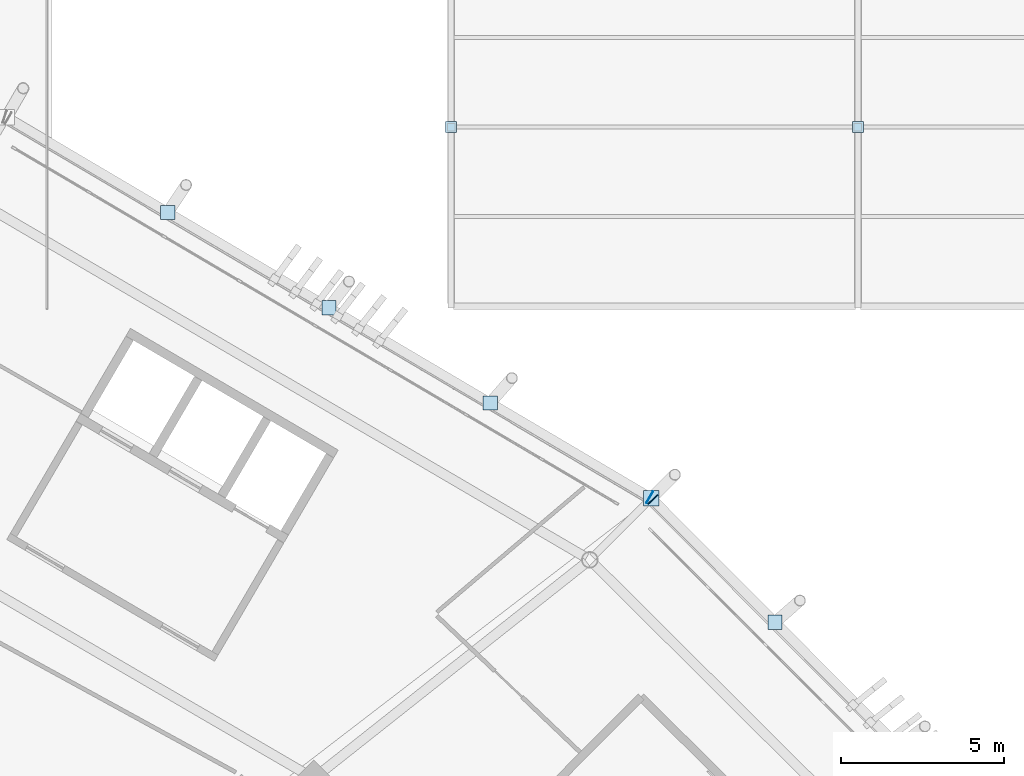
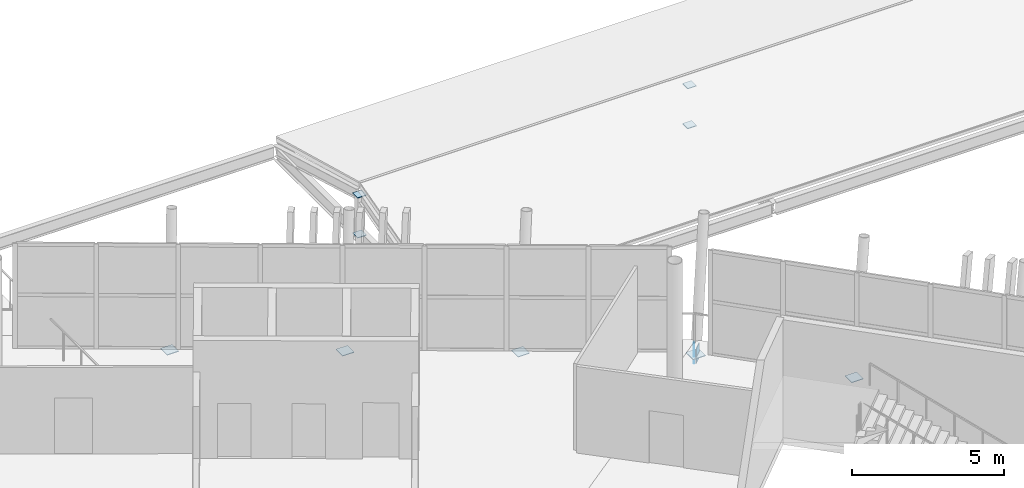
# One storey, part 121 of 179: 11 plates.
"""IFC4 building model written with IfcOpenShell, lengths in metres."""

import ifcopenshell
import ifcopenshell.guid

model = None  # the IFC model being written
_history = None  # IfcOwnerHistory: only IFC2X3 demands one
_inside = {}  # id of a spatial element -> (the spatial element, [elements in it])
_under = {}  # id of a project, library or spatial element -> (it, [spatial elements below it])
_declared = {}  # id of a project -> (the project, [libraries it declares])
_typed = {}  # id of a type object -> (the type object, [elements of that type])
_made_of = {}  # id of a material, layer set ... -> (it, [elements and type objects made of it])


def new_model(schema):
    """Start an empty IFC model of exactly this schema.

    Asked for "IFC4X3", IfcOpenShell would pick the latest addendum, in which some entities
    have other attributes; the version numbers below select the first issue.
    IFC2X3 requires an IfcOwnerHistory on every rooted entity: one is made here for all.
    """
    global model, _history
    if schema == "IFC4X3":
        model = ifcopenshell.file(schema_version=(4, 3, 0, 0))
    else:
        model = ifcopenshell.file(schema=schema)
    _inside.clear()
    _under.clear()
    _declared.clear()
    _typed.clear()
    _made_of.clear()
    _history = None
    if model.schema == "IFC2X3":
        org = make("IfcOrganization", Name="unknown")
        user = make(
            "IfcPersonAndOrganization",
            ThePerson=make("IfcPerson", FamilyName="unknown"),
            TheOrganization=org,
        )
        app = make(
            "IfcApplication",
            ApplicationDeveloper=org,
            Version="unknown",
            ApplicationFullName="unknown",
            ApplicationIdentifier="unknown",
        )
        _history = make(
            "IfcOwnerHistory",
            OwningUser=user,
            OwningApplication=app,
            ChangeAction="ADDED",
            CreationDate=0,
        )
    return model


def make(cls, **values):
    """One entity of the class cls with the attributes given. An attribute that is None is left unset."""
    return model.create_entity(
        cls, **{name: value for name, value in values.items() if value is not None}
    )


def rooted(cls, **values):
    """An entity with a GlobalId (a new one), such as an element, a storey or a relation."""
    return make(cls, GlobalId=ifcopenshell.guid.new(), OwnerHistory=_history, **values)


def si_unit(unit_type, name, prefix=None):
    """IfcSIUnit, for example si_unit("LENGTHUNIT", "METRE", prefix="MILLI")."""
    return make("IfcSIUnit", UnitType=unit_type, Prefix=prefix, Name=name)


def assignment(units):
    """IfcUnitAssignment: the units of a project."""
    return None if units is None else make("IfcUnitAssignment", Units=units)


def point(xyz):
    """IfcCartesianPoint."""
    return None if xyz is None else make("IfcCartesianPoint", Coordinates=xyz)


def direction(xyz):
    """IfcDirection."""
    return None if xyz is None else make("IfcDirection", DirectionRatios=xyz)


def frame(location, z_axis=None, x_axis=None):
    """IfcAxis2Placement3D, a coordinate frame: its origin and axes. An axis left out is left unset."""
    return make(
        "IfcAxis2Placement3D",
        Location=point(location),
        Axis=direction(z_axis),
        RefDirection=direction(x_axis),
    )


def frame_2d(location, x_axis=None):
    """IfcAxis2Placement2D, a coordinate frame in the plane: its origin and x axis."""
    return make(
        "IfcAxis2Placement2D", Location=point(location), RefDirection=direction(x_axis)
    )


def origin():
    """The frame at (0, 0, 0) with its axes left unset."""
    return frame((0.0, 0.0, 0.0))


def origin_2d():
    """The frame at (0, 0) in the plane with its x axis left unset."""
    return frame_2d((0.0, 0.0))


def place(relative_to, where):
    """IfcLocalPlacement: puts the frame where relative to a parent placement (None: the world)."""
    return make(
        "IfcLocalPlacement", PlacementRelTo=relative_to, RelativePlacement=where
    )


def context(
    kind, dimensions, precision=None, world=None, true_north=None, identifier=None
):
    """IfcGeometricRepresentationContext, for example the 3D "Model" context."""
    return make(
        "IfcGeometricRepresentationContext",
        ContextIdentifier=identifier,
        ContextType=kind,
        CoordinateSpaceDimension=dimensions,
        Precision=precision,
        WorldCoordinateSystem=world,
        TrueNorth=true_north,
    )


def subcontext(parent, identifier, kind, view, scale=None):
    """IfcGeometricRepresentationSubContext, for example "Body" below "Model"."""
    return make(
        "IfcGeometricRepresentationSubContext",
        ContextIdentifier=identifier,
        ContextType=kind,
        ParentContext=parent,
        TargetScale=scale,
        TargetView=view,
    )


def project(units=None, contexts=None):
    """IfcProject with its units and contexts."""
    return rooted(
        "IfcProject",
        Name="project",
        RepresentationContexts=contexts,
        UnitsInContext=assignment(units),
    )


def spatial(cls, under=None, at=None, **own):
    """A site, building, storey or space (cls), placed at a placement, below another one or the project."""
    s = rooted(cls, ObjectPlacement=at, **own)
    if under is not None:
        _under.setdefault(under.id(), (under, []))[1].append(s)
    return s


def profile(cls, at=None, kind="AREA", **sizes):
    """A parametric profile (cls). Its sizes go by their IFC names, for example OverallWidth=200.0."""
    return make(cls, ProfileType=kind, Position=at, **sizes)


def rectangle(**sizes):
    """IfcRectangleProfileDef."""
    return profile("IfcRectangleProfileDef", **sizes)


def extrude(swept, where, along, depth):
    """IfcExtrudedAreaSolid: the profile swept, set in the frame where, extruded along a direction by depth."""
    return make(
        "IfcExtrudedAreaSolid",
        SweptArea=swept,
        Position=where,
        ExtrudedDirection=direction(along),
        Depth=depth,
    )


def shape(context_of_items, identifier, shape_type, items):
    """IfcShapeRepresentation: the items that make up one representation, for example the "Body"."""
    return make(
        "IfcShapeRepresentation",
        ContextOfItems=context_of_items,
        RepresentationIdentifier=identifier,
        RepresentationType=shape_type,
        Items=items,
    )


def material(Name=None, Category=None):
    """IfcMaterial."""
    return make("IfcMaterial", Name=Name, Category=Category)


def layer(
    of_material, thickness, ventilated=None, Name=None, Category=None, Priority=None
):
    """IfcMaterialLayer: one layer of a wall or slab, of a material (None: an air gap)."""
    return make(
        "IfcMaterialLayer",
        Material=of_material,
        LayerThickness=thickness,
        IsVentilated=ventilated,
        Name=Name,
        Category=Category,
        Priority=Priority,
    )


def layer_set(layers, Name=None):
    """IfcMaterialLayerSet."""
    return make("IfcMaterialLayerSet", MaterialLayers=layers, LayerSetName=Name)


def made_of(thing, what):
    """Note that an element or type object is made of a material, layer set ...; save() writes the relation."""
    if what is not None:
        _made_of.setdefault(what.id(), (what, []))[1].append(thing)
    return thing


def type_object(cls, material=None, **own):
    """A type object (cls), such as IfcWallType, which elements share."""
    return made_of(rooted(cls, **own), material)


def element(
    cls,
    number,
    at=None,
    inside=None,
    cuts=None,
    type_object=None,
    material=None,
    context=None,
    identifier="Body",
    shape_type=None,
    held_by="IfcProductDefinitionShape",
    body=None,
    shapes=None,
    **own,
):
    """One element of the class cls, such as IfcWall. Its Tag is "e" and its number.

    at: its placement. inside: the storey or other place that contains it. cuts: it is an
    opening in that element (IfcRelVoidsElement). A single representation is given by context,
    identifier, shape_type and body (its items); several are given by shapes. held_by: the class
    of the entity that holds the representations. save() writes the other relations.
    """
    e = rooted(cls, Tag="e%d" % number, ObjectPlacement=at, **own)
    if body is not None:
        shapes = [shape(context, identifier, shape_type, body)]
    if shapes is not None:
        e.Representation = make(held_by, Representations=shapes)
    if inside is not None:
        _inside.setdefault(inside.id(), (inside, []))[1].append(e)
    if cuts is not None:
        rooted(
            "IfcRelVoidsElement", RelatingBuildingElement=cuts, RelatedOpeningElement=e
        )
    if type_object is not None:
        _typed.setdefault(type_object.id(), (type_object, []))[1].append(e)
    return made_of(e, material)


def aggregate(whole, parts):
    """IfcRelAggregates: a whole, such as a stair, and the parts it consists of."""
    return rooted("IfcRelAggregates", RelatingObject=whole, RelatedObjects=parts)


def save(model, path):
    """Write the relations noted so far, then the file.

    IfcRelAggregates (storeys below a building ...), IfcRelContainedInSpatialStructure (elements
    in a storey), IfcRelDefinesByType, IfcRelAssociatesMaterial and IfcRelDeclares: one each for
    every whole, place, type object, material and project.
    """
    for whole, parts in _under.values():
        aggregate(whole, parts)
    for where, things in _inside.values():
        rooted(
            "IfcRelContainedInSpatialStructure",
            RelatedElements=things,
            RelatingStructure=where,
        )
    for kind, things in _typed.values():
        rooted("IfcRelDefinesByType", RelatedObjects=things, RelatingType=kind)
    for what, things in _made_of.values():
        rooted("IfcRelAssociatesMaterial", RelatedObjects=things, RelatingMaterial=what)
    for by, libraries in _declared.values():
        rooted("IfcRelDeclares", RelatingContext=by, RelatedDefinitions=libraries)
    model.write(path)


model = new_model("IFC4")

# Units and contexts
model_context = context("Model", 3, precision=1e-05, world=origin(), true_north=direction((0.0, 1.0)))
body_context = subcontext(model_context, "Body", "Model", "MODEL_VIEW")
ifc_project = project(units=[si_unit("LENGTHUNIT", "METRE"), si_unit("AREAUNIT", "SQUARE_METRE"), si_unit("VOLUMEUNIT", "CUBIC_METRE"), si_unit("PLANEANGLEUNIT", "RADIAN"), si_unit("MASSUNIT", "GRAM", prefix="KILO")], contexts=[model_context])

# Site, building, storey
site_placement = place(None, origin())
site = spatial("IfcSite", under=ifc_project, at=site_placement, CompositionType="ELEMENT")
building_placement = place(site_placement, origin())
building = spatial("IfcBuilding", under=site, at=building_placement, Name="Zlatoyarsky Gate Stadium", CompositionType="ELEMENT")
storey_placement = place(building_placement, frame((0.0, 0.0, 10.60009765625)))
storey = spatial("IfcBuildingStorey", under=building, at=storey_placement, Name="L02", CompositionType="ELEMENT", Elevation=10.60009765625)

# Plates
ifc_material = material(Name="Steel S355", Category="steel")
ifc_layer = layer(ifc_material, 0.02392578125)
ifc_layer_set = layer_set([ifc_layer], Name="Steel S355")
plate_type = type_object("IfcPlateType", Name="STEEL HOLLOW CHORD SPLICE SHEET 24", PredefinedType="SHEET", material=ifc_layer_set)
for number, where, z_axis, x_axis, name in (
    (1, (178.695556640625, 132.05419921875, -0.830078125), (0.0, 0.0, 1.0), (-0.705849920208, 0.708361412093, 0.0), "Hollow end cap ND-SP1 CAP-L02-SPD-02 B"),
    (2, (178.601318359375, 132.127197265625, -0.830078125), (0.0, 0.0, 1.0), (-0.86093457238, 0.508715698678, 0.0), "Hollow end cap ND-SP1 CAP-L02-SPD-03 A"),
):
    element("IfcPlate", number, at=place(storey_placement, frame(where, z_axis=z_axis, x_axis=x_axis)), inside=storey, type_object=plate_type, Name=name, PredefinedType="SHEET", context=body_context, shape_type="SweptSolid", body=[
        extrude(rectangle(XDim=0.02392578125, YDim=0.39990234375, at=origin_2d()), origin(), (0.0, 0.0, 1.0), 0.60009765625),
    ])
plate_placement = place(storey_placement, frame((178.653076171875, 132.0966796875, -0.592041015625), z_axis=(0.0, 0.0, 1.0), x_axis=(1.0, 0.0, 0.0)))
element("IfcPlate", 3, at=plate_placement, inside=storey, type_object=plate_type, Name="Node closure plate ND-SP1 NCAP-L02-RSTR-03", PredefinedType="SHEET", context=body_context, shape_type="SweptSolid", body=[
    extrude(rectangle(XDim=0.47998046875, YDim=0.47998046875, at=origin_2d()), origin(), (0.0, 0.0, 1.0), 0.02392578125),
])
for number, where, z_axis, x_axis, name in (
    (4, (182.454345703125, 128.281982421875, -0.5419921875), (0.0, 0.0, 1.0), (1.0, 0.0, 0.0), "Node closure plate ND-SP1 NCAP-RIB-02-3-0T"),
    (5, (173.69921875, 135.023681640625, -0.5419921875), (0.0, 0.0, 1.0), (1.0, 0.0, 0.0), "Node closure plate ND-SP1 NCAP-RIB-03-1-0T"),
    (6, (168.74560546875, 137.950927734375, -0.5419921875), (0.0, 0.0, 1.0), (1.0, 0.0, 0.0), "Node closure plate ND-SP1 NCAP-RIB-03-2-0T"),
    (7, (163.791748046875, 140.878173828125, -0.5419921875), (0.0, 0.0, 1.0), (1.0, 0.0, 0.0), "Node closure plate ND-SP1 NCAP-RIB-03-3-0T"),
):
    element("IfcPlate", number, at=place(storey_placement, frame(where, z_axis=z_axis, x_axis=x_axis)), inside=storey, type_object=plate_type, Name=name, PredefinedType="SHEET", context=body_context, shape_type="SweptSolid", body=[
        extrude(rectangle(XDim=0.43994140625, YDim=0.43994140625, at=origin_2d()), origin(), (0.0, 0.0, 1.0), 0.02392578125),
    ])
for number, where, z_axis, x_axis, name in (
    (8, (172.5, 143.5, -0.5419921875), (0.0, 0.0, 1.0), (1.0, 0.0, 0.0), "Node closure plate ND-SP1 NCAP-KP-V6_NE-1A"),
    (9, (172.5, 143.5, 1.057861328125), (0.0, 0.0, 1.0), (1.0, 0.0, 0.0), "Node closure plate ND-SP1 NCAP-KP-V6_NE-1B"),
    (10, (185.0, 143.5, -0.5419921875), (0.0, 0.0, 1.0), (1.0, 0.0, 0.0), "Node closure plate ND-SP1 NCAP-KP-V6_NE-2A"),
    (11, (185.0, 143.5, 1.057861328125), (0.0, 0.0, 1.0), (1.0, 0.0, 0.0), "Node closure plate ND-SP1 NCAP-KP-V6_NE-2B"),
):
    element("IfcPlate", number, at=place(storey_placement, frame(where, z_axis=z_axis, x_axis=x_axis)), inside=storey, type_object=plate_type, Name=name, PredefinedType="SHEET", context=body_context, shape_type="SweptSolid", body=[
        extrude(rectangle(XDim=0.340087890625, YDim=0.340087890625, at=origin_2d()), origin(), (0.0, 0.0, 1.0), 0.02392578125),
    ])

save(model, "model.ifc")
